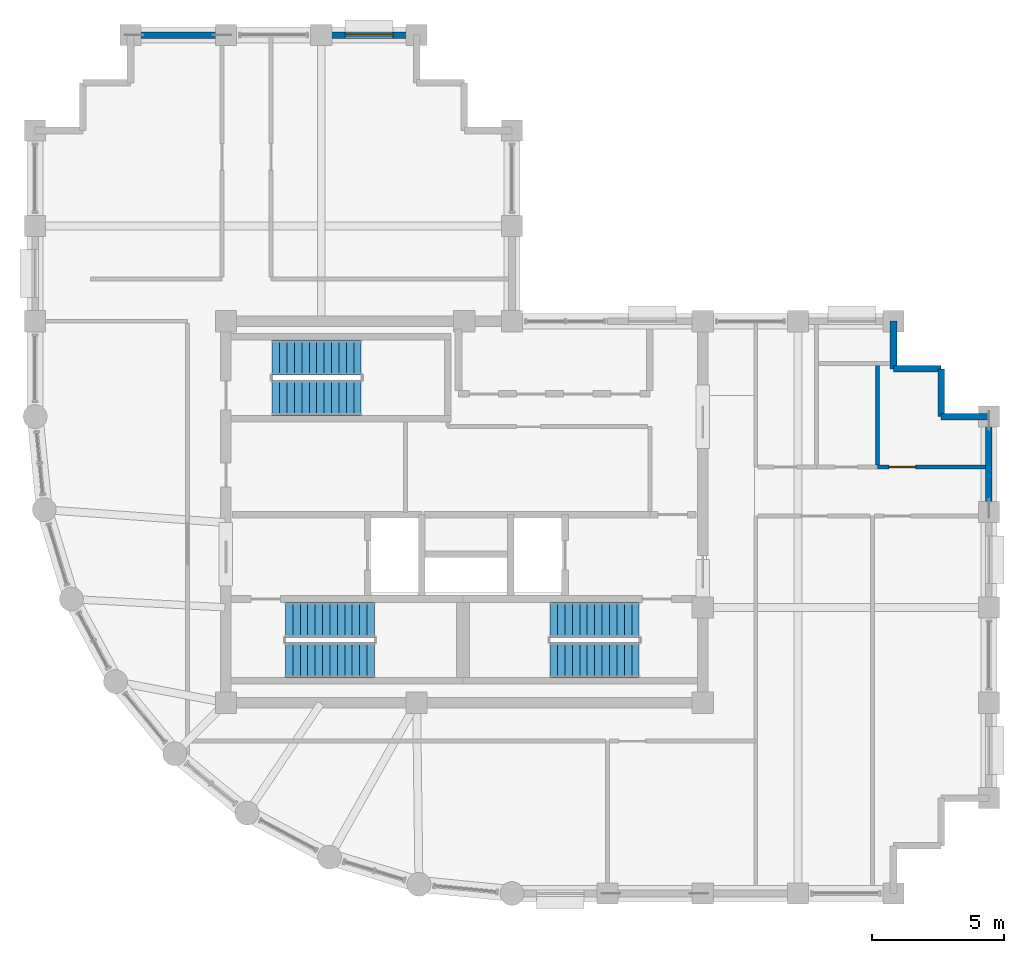
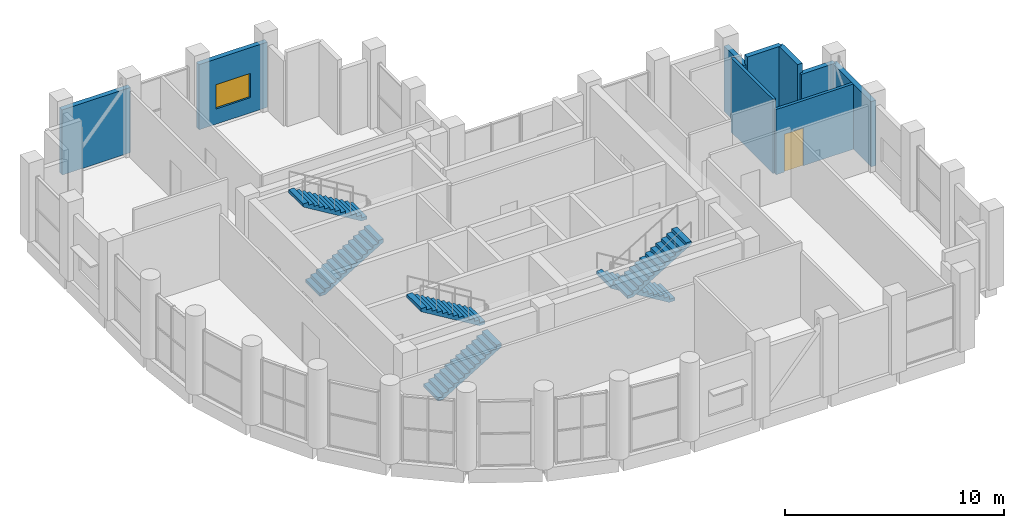
# One storey, part 16 of 18: 9 walls, 6 stair flights, 1 door, 1 window, 2 openings, 3 elements without a shape of their own.
"""IFC4 building model written with IfcOpenShell, lengths in metres."""

from ifc_helpers import new_model, si_unit, direction, frame, frame_2d, origin, place, context, subcontext, project, spatial, polyline, rectangle, outline, extrude, material, layer, layer_set, type_object, element, fill, aggregate, save


model = new_model("IFC4")

# Units and contexts
model_context = context("Model", 3, precision=1e-05, world=origin(), true_north=direction((0.0, 1.0)))
body_context = subcontext(model_context, "Body", "Model", "MODEL_VIEW")
ifc_project = project(units=[si_unit("LENGTHUNIT", "METRE"), si_unit("AREAUNIT", "SQUARE_METRE"), si_unit("VOLUMEUNIT", "CUBIC_METRE"), si_unit("PLANEANGLEUNIT", "RADIAN"), si_unit("MASSUNIT", "GRAM", prefix="KILO")], contexts=[model_context])

# Site, building, storey
site_placement = place(None, origin())
site = spatial("IfcSite", under=ifc_project, at=site_placement, CompositionType="ELEMENT")
building_placement = place(site_placement, origin())
building = spatial("IfcBuilding", under=site, at=building_placement, Name="Solnavia Interchange Tower", CompositionType="ELEMENT")
storey_placement = place(building_placement, frame((0.0, 0.0, 295.39990234375)))
storey = spatial("IfcBuildingStorey", under=building, at=storey_placement, Name="L75", CompositionType="ELEMENT", Elevation=295.39990234375)

# Walls
ifc_material_1 = material(Name="Concrete C40/50", Category="concrete")
ifc_layer_1 = layer(ifc_material_1, 0.25)
ifc_layer_set_1 = layer_set([ifc_layer_1], Name="Concrete C40/50")
wall_type_1 = type_object("IfcWallType", Name="Wall-ExtSpandrel-250", PredefinedType="STANDARD", material=ifc_layer_set_1)
wall_1_placement = place(storey_placement, frame((43.199951171875, 21.60009765625, 0.0), z_axis=(0.0, 0.0, 1.0), x_axis=(0.0, -1.0, 0.0)))
element("IfcWall", 1, at=wall_1_placement, inside=storey, type_object=wall_type_1, Name="EXW-L75-12 Exterior precast spandrel wall", PredefinedType="STANDARD", context=body_context, shape_type="SweptSolid", body=[
    extrude(rectangle(XDim=3.60009765625, YDim=0.25, at=frame_2d((1.800048828125, 0.0))), origin(), (0.0, 0.0, 1.0), 3.630126953125),
])
wall_2_placement = place(storey_placement, frame((41.39990234375, 21.60009765625, 0.0), z_axis=(0.0, 0.0, 1.0), x_axis=(1.0, 0.0, 0.0)))
element("IfcWall", 2, at=wall_2_placement, inside=storey, type_object=wall_type_1, Name="EXW-L75-13 Exterior precast spandrel wall", PredefinedType="STANDARD", context=body_context, shape_type="SweptSolid", body=[
    extrude(rectangle(XDim=1.800048828125, YDim=0.25, at=frame_2d((0.89990234375, 0.0))), origin(), (0.0, 0.0, 1.0), 3.630126953125),
])
for number, where, z_axis, x_axis, name in (
    (3, (41.39990234375, 23.39990234375, 0.0), (0.0, 0.0, 1.0), (0.0, -1.0, 0.0), "EXW-L75-14 Exterior precast spandrel wall"),
    (4, (39.60009765625, 23.39990234375, 0.0), (0.0, 0.0, 1.0), (1.0, 0.0, 0.0), "EXW-L75-15 Exterior precast spandrel wall"),
):
    element("IfcWall", number, at=place(storey_placement, frame(where, z_axis=z_axis, x_axis=x_axis)), inside=storey, type_object=wall_type_1, Name=name, PredefinedType="STANDARD", context=body_context, shape_type="SweptSolid", body=[
        extrude(rectangle(XDim=1.7998046875, YDim=0.25, at=frame_2d((0.89990234375, 0.0))), origin(), (0.0, 0.0, 1.0), 4.135009765625),
    ])
wall_3_placement = place(storey_placement, frame((39.60009765625, 25.199951171875, 0.0), z_axis=(0.0, 0.0, 1.0), x_axis=(0.0, -1.0, 0.0)))
element("IfcWall", 5, at=wall_3_placement, inside=storey, type_object=wall_type_1, Name="EXW-L75-16 Exterior precast spandrel wall", PredefinedType="STANDARD", context=body_context, shape_type="SweptSolid", body=[
    extrude(rectangle(XDim=1.800048828125, YDim=0.25, at=frame_2d((0.89990234375, 0.0))), origin(), (0.0, 0.0, 1.0), 3.630126953125),
])

# Wall, opening, window
wall_4_placement = place(storey_placement, frame((18.0, 36.0, 0.0), z_axis=(0.0, 0.0, 1.0), x_axis=(1.0, 0.0, 0.0)))
wall_4 = element("IfcWall", 6, at=wall_4_placement, inside=storey, type_object=wall_type_1, Name="EXW-L75-27 Exterior precast spandrel wall", PredefinedType="STANDARD", context=body_context, shape_type="SweptSolid", body=[
    extrude(rectangle(XDim=3.60009765625, YDim=0.25, at=frame_2d((1.800048828125, 0.0))), origin(), (0.0, 0.0, 1.0), 3.630126953125),
])
opening_1_placement = place(wall_4_placement, frame((0.89990234375, 0.0, 0.85009765625)))
opening_1 = element("IfcOpeningElement", 7, at=opening_1_placement, cuts=wall_4, Name="Opening WIN-02", PredefinedType="OPENING", context=body_context, shape_type="SweptSolid", body=[
    extrude(rectangle(XDim=1.800048828125, YDim=1.35009765625, at=frame_2d((0.89990234375, 0.675048828125))), frame((0.0, 0.135009765625, 0.0), z_axis=(0.0, -1.0, 0.0), x_axis=(1.0, 0.0, 0.0)), (0.0, 0.0, 1.0), 0.27001953125),
])
ifc_material_2 = material(Name="Thermal-Break Aluminium & Low-E Glass", Category="aluminium")
window_type = type_object("IfcWindowType", Name="Window-Ribbon-1800x1350", PartitioningType="SINGLE_PANEL", PredefinedType="WINDOW", material=ifc_material_2)
window_placement = place(opening_1_placement, origin())
window = element("IfcWindow", 8, at=window_placement, inside=storey, type_object=window_type, Name="WIN-L75-27 Facade ribbon window", OverallHeight=1.35009765625, OverallWidth=1.800048828125, PartitioningType="SINGLE_PANEL", PredefinedType="WINDOW", context=body_context, shape_type="SweptSolid", body=[
    extrude(rectangle(XDim=1.800048828125, YDim=1.35009765625, at=frame_2d((0.89990234375, 0.675048828125))), frame((0.0, 0.030029296875, 0.0), z_axis=(0.0, -1.0, 0.0), x_axis=(1.0, 0.0, 0.0)), (0.0, 0.0, 1.0), 0.06005859375),
])
fill(opening_1, window)

# Wall
wall_5_placement = place(storey_placement, frame((10.800048828125, 36.0, 0.0), z_axis=(0.0, 0.0, 1.0), x_axis=(1.0, 0.0, 0.0)))
element("IfcWall", 9, at=wall_5_placement, inside=storey, type_object=wall_type_1, Name="EXW-L75-29 Exterior precast spandrel wall", PredefinedType="STANDARD", context=body_context, shape_type="SweptSolid", body=[
    extrude(rectangle(XDim=3.599853515625, YDim=0.25, at=frame_2d((1.7998046875, 0.0))), origin(), (0.0, 0.0, 1.0), 3.630126953125),
])

# Wall, opening, door
ifc_material_3 = material(Name="Gypsum Plasterboard & Steel Stud", Category="steel")
ifc_layer_2 = layer(ifc_material_3, 0.14990234375)
ifc_layer_set_2 = layer_set([ifc_layer_2], Name="Gypsum Plasterboard & Steel Stud")
wall_type_2 = type_object("IfcWallType", Name="Wall-Partition-150", PredefinedType="PARTITIONING", material=ifc_layer_set_2)
wall_6_placement = place(storey_placement, frame((39.0, 19.699951171875, 0.0), z_axis=(0.0, 0.0, 1.0), x_axis=(1.0, 0.0, 0.0)))
wall_6 = element("IfcWall", 10, at=wall_6_placement, inside=storey, type_object=wall_type_2, Name="PTW-L75-16 Interior partition wall", PredefinedType="PARTITIONING", context=body_context, shape_type="SweptSolid", body=[
    extrude(rectangle(XDim=4.071044921875, YDim=0.14990234375, at=frame_2d((2.03564453125, 0.0))), origin(), (0.0, 0.0, 1.0), 3.630126953125),
])
opening_2_placement = place(wall_6_placement, frame((0.43798828125, 0.0, 0.0)))
opening_2 = element("IfcOpeningElement", 11, at=opening_2_placement, cuts=wall_6, Name="Opening DR-07", PredefinedType="OPENING", context=body_context, shape_type="SweptSolid", body=[
    extrude(rectangle(XDim=1.0, YDim=2.10009765625, at=frame_2d((0.5, 1.050048828125))), frame((0.0, 0.0849609375, 0.0), z_axis=(0.0, -1.0, 0.0), x_axis=(1.0, 0.0, 0.0)), (0.0, 0.0, 1.0), 0.169921875),
])
ifc_material_4 = material(Name="Timber & Acoustic Glazed Office Door", Category="wood")
door_type = type_object("IfcDoorType", Name="Door-Office-1000x2100", OperationType="SINGLE_SWING_RIGHT", PredefinedType="DOOR", material=ifc_material_4)
door_placement = place(opening_2_placement, origin())
door = element("IfcDoor", 12, at=door_placement, inside=storey, type_object=door_type, Name="DR-L75-07 Interior room door", OperationType="SINGLE_SWING_RIGHT", OverallHeight=2.10009765625, OverallWidth=1.0, PredefinedType="DOOR", context=body_context, shape_type="SweptSolid", body=[
    extrude(rectangle(XDim=1.0, YDim=2.10009765625, at=frame_2d((0.5, 1.050048828125))), frame((0.0, 0.02490234375, 0.0), z_axis=(0.0, -1.0, 0.0), x_axis=(1.0, 0.0, 0.0)), (0.0, 0.0, 1.0), 0.050048828125),
])
fill(opening_2, door)

# Wall
ifc_material_5 = material(Name="Moisture-Resistant Gypsum & Steel Stud", Category="steel")
ifc_layer_3 = layer(ifc_material_5, 0.14990234375)
ifc_layer_set_3 = layer_set([ifc_layer_3], Name="Moisture-Resistant Gypsum & Steel Stud")
wall_type_3 = type_object("IfcWallType", Name="Wall-WetRoom-150", PredefinedType="PARTITIONING", material=ifc_layer_set_3)
wall_7_placement = place(storey_placement, frame((39.0, 19.779052734375, 0.0), z_axis=(0.0, 0.0, 1.0), x_axis=(0.0, 1.0, 0.0)))
element("IfcWall", 13, at=wall_7_placement, inside=storey, type_object=wall_type_3, Name="PTW-L75-05 Interior partition wall", PredefinedType="PARTITIONING", context=body_context, shape_type="SweptSolid", body=[
    extrude(rectangle(XDim=3.821044921875, YDim=0.14990234375, at=frame_2d((1.91064453125, 0.0))), origin(), (0.0, 0.0, 1.0), 4.135009765625),
])

# Stair, stair flights
stair_type = type_object("IfcStairType", Name="Stair-Dogleg-RC", PredefinedType="HALF_TURN_STAIR", material=ifc_material_1)
stair_1_placement = place(storey_placement, origin())
stair_1 = element("IfcStair", 14, at=stair_1_placement, inside=storey, type_object=stair_type, Name="L75 Core exit stair 1", PredefinedType="HALF_TURN_STAIR")
stair_flight_type = type_object("IfcStairFlightType", Name="StairFlight-RC-150", PredefinedType="STRAIGHT", material=ifc_material_1)
stair_flight_1_placement = place(storey_placement, frame((16.64990234375, 12.409912109375, 0.0), z_axis=(0.0, 0.0, 1.0), x_axis=(1.0, 0.0, 0.0)))
stair_flight_1 = element("IfcStairFlight", 15, at=stair_flight_1_placement, type_object=stair_flight_type, Name="ST-1 flight 1", NumberOfRisers=13, NumberOfTreads=12, PredefinedType="STRAIGHT", RiserHeight=0.169230769, TreadLength=0.28, context=body_context, shape_type="SweptSolid", body=[
    extrude(outline(polyline([(0.0, 0.0), (0.0, 0.169189453125), (0.280029296875, 0.169189453125), (0.280029296875, 0.33837890625), (0.56005859375, 0.33837890625), (0.56005859375, 0.5078125), (0.840087890625, 0.5078125), (0.840087890625, 0.677001953125), (1.1201171875, 0.677001953125), (1.1201171875, 0.84619140625), (1.39990234375, 0.84619140625), (1.39990234375, 1.015380859375), (1.679931640625, 1.015380859375), (1.679931640625, 1.1845703125), (1.9599609375, 1.1845703125), (1.9599609375, 1.353759765625), (2.239990234375, 1.353759765625), (2.239990234375, 1.523193359375), (2.52001953125, 1.523193359375), (2.52001953125, 1.6923828125), (2.800048828125, 1.6923828125), (2.800048828125, 1.861572265625), (3.080078125, 1.861572265625), (3.080078125, 2.03076171875), (3.360107421875, 2.03076171875), (3.360107421875, 2.199951171875), (3.360107421875, 1.855712890625), (0.289794921875, 0.0), (0.0, 0.0)])), frame((0.0, 0.66015625, 0.0), z_axis=(0.0, -1.0, 0.0), x_axis=(1.0, 0.0, 0.0)), (0.0, 0.0, 1.0), 1.320068359375),
])
stair_flight_2_placement = place(storey_placement, frame((20.010009765625, 13.929931640625, 2.2001953125), z_axis=(0.0, 0.0, 1.0), x_axis=(-1.0, 0.0, 0.0)))
stair_flight_2 = element("IfcStairFlight", 16, at=stair_flight_2_placement, type_object=stair_flight_type, Name="ST-1 flight 2", NumberOfRisers=13, NumberOfTreads=12, PredefinedType="STRAIGHT", RiserHeight=0.169230769, TreadLength=0.28, context=body_context, shape_type="SweptSolid", body=[
    extrude(outline(polyline([(0.0, 0.0), (0.0, 0.169189453125), (0.280029296875, 0.169189453125), (0.280029296875, 0.33837890625), (0.56005859375, 0.33837890625), (0.56005859375, 0.5078125), (0.840087890625, 0.5078125), (0.840087890625, 0.677001953125), (1.1201171875, 0.677001953125), (1.1201171875, 0.84619140625), (1.39990234375, 0.84619140625), (1.39990234375, 1.015380859375), (1.679931640625, 1.015380859375), (1.679931640625, 1.1845703125), (1.9599609375, 1.1845703125), (1.9599609375, 1.353759765625), (2.239990234375, 1.353759765625), (2.239990234375, 1.523193359375), (2.52001953125, 1.523193359375), (2.52001953125, 1.6923828125), (2.800048828125, 1.6923828125), (2.800048828125, 1.861572265625), (3.080078125, 1.861572265625), (3.080078125, 2.03076171875), (3.360107421875, 2.03076171875), (3.360107421875, 2.199951171875), (3.360107421875, 1.855712890625), (0.289794921875, 0.0), (0.0, 0.0)])), frame((0.0, 0.66015625, 0.0), z_axis=(0.0, -1.0, 0.0), x_axis=(1.0, 0.0, 0.0)), (0.0, 0.0, 1.0), 1.320068359375),
])
aggregate(stair_1, [stair_flight_1, stair_flight_2])

stair_2_placement = place(storey_placement, origin())
stair_2 = element("IfcStair", 17, at=stair_2_placement, inside=storey, type_object=stair_type, Name="L75 Core exit stair 2", PredefinedType="HALF_TURN_STAIR")
stair_flight_3_placement = place(storey_placement, frame((30.0, 13.929931640625, 0.0), z_axis=(0.0, 0.0, 1.0), x_axis=(-1.0, 0.0, 0.0)))
stair_flight_3 = element("IfcStairFlight", 18, at=stair_flight_3_placement, type_object=stair_flight_type, Name="ST-2 flight 1", NumberOfRisers=13, NumberOfTreads=12, PredefinedType="STRAIGHT", RiserHeight=0.169230769, TreadLength=0.28, context=body_context, shape_type="SweptSolid", body=[
    extrude(outline(polyline([(0.0, 0.0), (0.0, 0.169189453125), (0.280029296875, 0.169189453125), (0.280029296875, 0.33837890625), (0.56005859375, 0.33837890625), (0.56005859375, 0.5078125), (0.840087890625, 0.5078125), (0.840087890625, 0.677001953125), (1.1201171875, 0.677001953125), (1.1201171875, 0.84619140625), (1.39990234375, 0.84619140625), (1.39990234375, 1.015380859375), (1.679931640625, 1.015380859375), (1.679931640625, 1.1845703125), (1.9599609375, 1.1845703125), (1.9599609375, 1.353759765625), (2.239990234375, 1.353759765625), (2.239990234375, 1.523193359375), (2.52001953125, 1.523193359375), (2.52001953125, 1.6923828125), (2.800048828125, 1.6923828125), (2.800048828125, 1.861572265625), (3.080078125, 1.861572265625), (3.080078125, 2.03076171875), (3.360107421875, 2.03076171875), (3.360107421875, 2.199951171875), (3.360107421875, 1.855712890625), (0.289794921875, 0.0), (0.0, 0.0)])), frame((0.0, 0.66015625, 0.0), z_axis=(0.0, -1.0, 0.0), x_axis=(1.0, 0.0, 0.0)), (0.0, 0.0, 1.0), 1.320068359375),
])
stair_flight_4_placement = place(storey_placement, frame((26.639892578125, 12.409912109375, 2.2001953125), z_axis=(0.0, 0.0, 1.0), x_axis=(1.0, 0.0, 0.0)))
stair_flight_4 = element("IfcStairFlight", 19, at=stair_flight_4_placement, type_object=stair_flight_type, Name="ST-2 flight 2", NumberOfRisers=13, NumberOfTreads=12, PredefinedType="STRAIGHT", RiserHeight=0.169230769, TreadLength=0.28, context=body_context, shape_type="SweptSolid", body=[
    extrude(outline(polyline([(0.0, 0.0), (0.0, 0.169189453125), (0.280029296875, 0.169189453125), (0.280029296875, 0.33837890625), (0.56005859375, 0.33837890625), (0.56005859375, 0.5078125), (0.840087890625, 0.5078125), (0.840087890625, 0.677001953125), (1.1201171875, 0.677001953125), (1.1201171875, 0.84619140625), (1.39990234375, 0.84619140625), (1.39990234375, 1.015380859375), (1.679931640625, 1.015380859375), (1.679931640625, 1.1845703125), (1.9599609375, 1.1845703125), (1.9599609375, 1.353759765625), (2.239990234375, 1.353759765625), (2.239990234375, 1.523193359375), (2.52001953125, 1.523193359375), (2.52001953125, 1.6923828125), (2.800048828125, 1.6923828125), (2.800048828125, 1.861572265625), (3.080078125, 1.861572265625), (3.080078125, 2.03076171875), (3.360107421875, 2.03076171875), (3.360107421875, 2.199951171875), (3.360107421875, 1.855712890625), (0.289794921875, 0.0), (0.0, 0.0)])), frame((0.0, 0.66015625, 0.0), z_axis=(0.0, -1.0, 0.0), x_axis=(1.0, 0.0, 0.0)), (0.0, 0.0, 1.0), 1.320068359375),
])
aggregate(stair_2, [stair_flight_3, stair_flight_4])

stair_3_placement = place(storey_placement, origin())
stair_3 = element("IfcStair", 20, at=stair_3_placement, inside=storey, type_object=stair_type, Name="L75 Core exit stair 3", PredefinedType="HALF_TURN_STAIR")
stair_flight_5_placement = place(storey_placement, frame((16.14990234375, 22.31005859375, 0.0), z_axis=(0.0, 0.0, 1.0), x_axis=(1.0, 0.0, 0.0)))
stair_flight_5 = element("IfcStairFlight", 21, at=stair_flight_5_placement, type_object=stair_flight_type, Name="ST-3 flight 1", NumberOfRisers=13, NumberOfTreads=12, PredefinedType="STRAIGHT", RiserHeight=0.169230769, TreadLength=0.28, context=body_context, shape_type="SweptSolid", body=[
    extrude(outline(polyline([(0.0, 0.0), (0.0, 0.169189453125), (0.280029296875, 0.169189453125), (0.280029296875, 0.33837890625), (0.56005859375, 0.33837890625), (0.56005859375, 0.5078125), (0.840087890625, 0.5078125), (0.840087890625, 0.677001953125), (1.1201171875, 0.677001953125), (1.1201171875, 0.84619140625), (1.39990234375, 0.84619140625), (1.39990234375, 1.015380859375), (1.679931640625, 1.015380859375), (1.679931640625, 1.1845703125), (1.9599609375, 1.1845703125), (1.9599609375, 1.353759765625), (2.239990234375, 1.353759765625), (2.239990234375, 1.523193359375), (2.52001953125, 1.523193359375), (2.52001953125, 1.6923828125), (2.800048828125, 1.6923828125), (2.800048828125, 1.861572265625), (3.080078125, 1.861572265625), (3.080078125, 2.03076171875), (3.360107421875, 2.03076171875), (3.360107421875, 2.199951171875), (3.360107421875, 1.855712890625), (0.289794921875, 0.0), (0.0, 0.0)])), frame((0.0, 0.66015625, 0.0), z_axis=(0.0, -1.0, 0.0), x_axis=(1.0, 0.0, 0.0)), (0.0, 0.0, 1.0), 1.320068359375),
])
stair_flight_6_placement = place(storey_placement, frame((19.510009765625, 23.830078125, 2.2001953125), z_axis=(0.0, 0.0, 1.0), x_axis=(-1.0, 0.0, 0.0)))
stair_flight_6 = element("IfcStairFlight", 22, at=stair_flight_6_placement, type_object=stair_flight_type, Name="ST-3 flight 2", NumberOfRisers=13, NumberOfTreads=12, PredefinedType="STRAIGHT", RiserHeight=0.169230769, TreadLength=0.28, context=body_context, shape_type="SweptSolid", body=[
    extrude(outline(polyline([(0.0, 0.0), (0.0, 0.169189453125), (0.280029296875, 0.169189453125), (0.280029296875, 0.33837890625), (0.56005859375, 0.33837890625), (0.56005859375, 0.5078125), (0.840087890625, 0.5078125), (0.840087890625, 0.677001953125), (1.1201171875, 0.677001953125), (1.1201171875, 0.84619140625), (1.39990234375, 0.84619140625), (1.39990234375, 1.015380859375), (1.679931640625, 1.015380859375), (1.679931640625, 1.1845703125), (1.9599609375, 1.1845703125), (1.9599609375, 1.353759765625), (2.239990234375, 1.353759765625), (2.239990234375, 1.523193359375), (2.52001953125, 1.523193359375), (2.52001953125, 1.6923828125), (2.800048828125, 1.6923828125), (2.800048828125, 1.861572265625), (3.080078125, 1.861572265625), (3.080078125, 2.03076171875), (3.360107421875, 2.03076171875), (3.360107421875, 2.199951171875), (3.360107421875, 1.855712890625), (0.289794921875, 0.0), (0.0, 0.0)])), frame((0.0, 0.66015625, 0.0), z_axis=(0.0, -1.0, 0.0), x_axis=(1.0, 0.0, 0.0)), (0.0, 0.0, 1.0), 1.320068359375),
])
aggregate(stair_3, [stair_flight_5, stair_flight_6])

save(model, "model.ifc")
